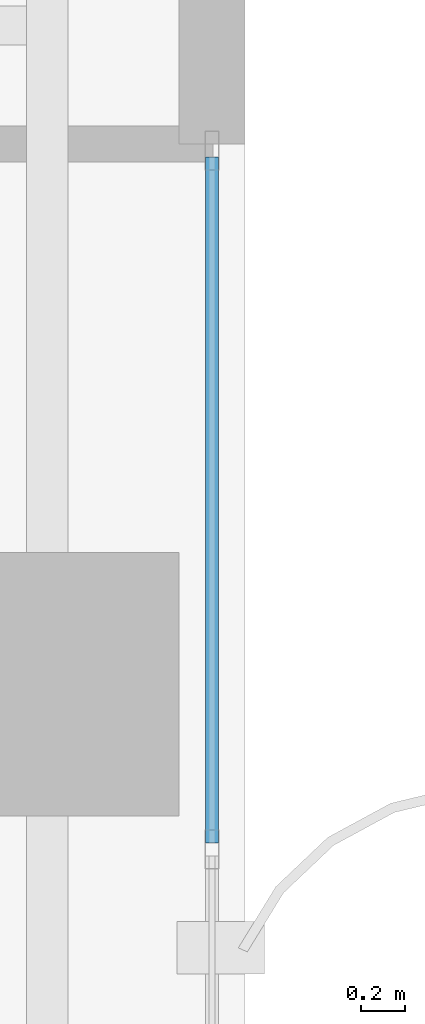
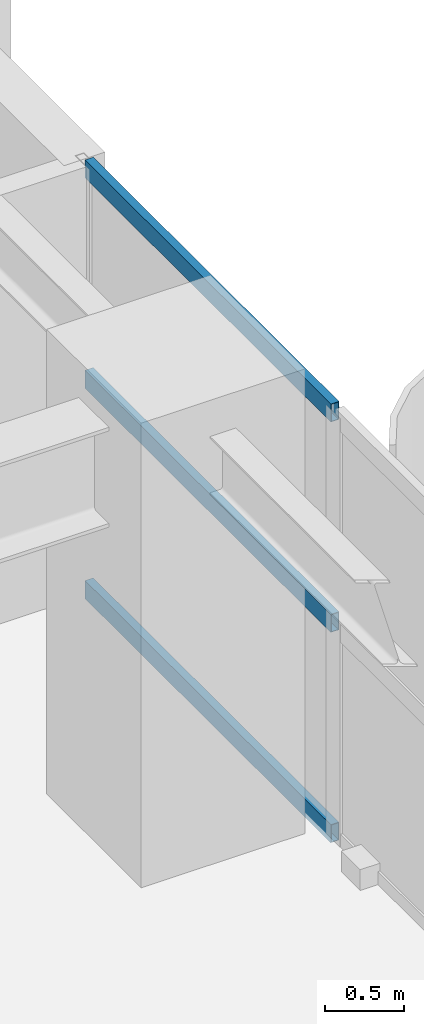
# One storey, part 8 of 24: 3 members, 1 element without a shape of its own.
"""IFC4 building model written with IfcOpenShell, lengths in metres."""

from ifc_helpers import new_model, si_unit, direction, frame, origin, origin_2d, place, context, subcontext, project, spatial, hollow_rectangle, extrude, source, transform, mapped, material, layer, layer_set, material_profile, profile_set, type_object, element, aggregate, save


model = new_model("IFC4")

# Units and contexts
model_context = context("Model", 3, precision=1e-05, world=origin(), true_north=direction((0.0, 1.0)))
body_context = subcontext(model_context, "Body", "Model", "MODEL_VIEW")
ifc_project = project(units=[si_unit("LENGTHUNIT", "METRE"), si_unit("AREAUNIT", "SQUARE_METRE"), si_unit("VOLUMEUNIT", "CUBIC_METRE"), si_unit("PLANEANGLEUNIT", "RADIAN"), si_unit("MASSUNIT", "GRAM", prefix="KILO")], contexts=[model_context])

# Site, building, storey
site_placement = place(None, origin())
site = spatial("IfcSite", under=ifc_project, at=site_placement, CompositionType="ELEMENT")
building_placement = place(site_placement, origin())
building = spatial("IfcBuilding", under=site, at=building_placement, Name="Khoralis Quay Care Tower", CompositionType="ELEMENT")
storey_placement = place(building_placement, frame((0.0, 0.0, 40.5)))
storey = spatial("IfcBuildingStorey", under=building, at=storey_placement, Name="L10", CompositionType="ELEMENT", Elevation=40.5)

# Curtain wall, members
ifc_material = material(Name="Pale anodised aluminium", Category="aluminium")
ifc_layer = layer(ifc_material, 0.179931640625)
ifc_layer_set = layer_set([ifc_layer], Name="Pale anodised aluminium")
curtain_wall_type = type_object("IfcCurtainWallType", Name="CW-SYS-Z1", PredefinedType="NOTDEFINED", material=ifc_layer_set)
curtain_wall_placement = place(storey_placement, origin())
curtain_wall = element("IfcCurtainWall", 1, at=curtain_wall_placement, inside=storey, type_object=curtain_wall_type, Name="L10 Unitised Curtain Wall CW-L10-P1-E5", PredefinedType="NOTDEFINED")
ifc_material_profile = material_profile(ifc_material, hollow_rectangle(XDim=0.06005859375, YDim=0.139892578125, WallThickness=0.00390625, at=origin_2d()), Name="Pale anodised aluminium")
ifc_profile_set = profile_set([ifc_material_profile], Name="Pale anodised aluminium")
member_type = type_object("IfcMemberType", Name="CW-TRN-140", PredefinedType="USERDEFINED", material=ifc_profile_set)
shared_shape = source(origin(), body_context, "Body", "SweptSolid", [
    extrude(hollow_rectangle(XDim=0.06005859375, YDim=0.139892578125, WallThickness=0.00390625, at=origin_2d()), origin(), (0.0, 0.0, 1.0), 3.121826171875),
])
member_1_placement = place(storey_placement, frame((47.85009765625, 29.278076171875, 0.030029296875), z_axis=(0.0, 1.0, 0.0), x_axis=(-1.0, 0.0, 0.0)))
member_1 = element("IfcMember", 2, at=member_1_placement, type_object=member_type, Name="CW1 transom 5.1", ObjectType="TRANSOM", PredefinedType="USERDEFINED", context=body_context, shape_type="MappedRepresentation", body=[
    mapped(shared_shape, transform((0.0, 0.0, 0.0), scale=1.0)),
])
member_2_placement = place(storey_placement, frame((47.85009765625, 29.278076171875, 1.659912109375), z_axis=(0.0, 1.0, 0.0), x_axis=(-1.0, 0.0, 0.0)))
member_2 = element("IfcMember", 3, at=member_2_placement, type_object=member_type, Name="CW1 transom 5.2", ObjectType="TRANSOM", PredefinedType="USERDEFINED", context=body_context, shape_type="MappedRepresentation", body=[
    mapped(shared_shape, transform((0.0, 0.0, 0.0), scale=1.0)),
])
member_3_placement = place(storey_placement, frame((47.85009765625, 29.278076171875, 3.2900390625), z_axis=(0.0, 1.0, 0.0), x_axis=(-1.0, 0.0, 0.0)))
member_3 = element("IfcMember", 4, at=member_3_placement, type_object=member_type, Name="CW1 transom 5.3", ObjectType="TRANSOM", PredefinedType="USERDEFINED", context=body_context, shape_type="MappedRepresentation", body=[
    mapped(shared_shape, transform((0.0, 0.0, 0.0), scale=1.0)),
])
aggregate(curtain_wall, [member_1, member_2, member_3])

save(model, "model.ifc")
